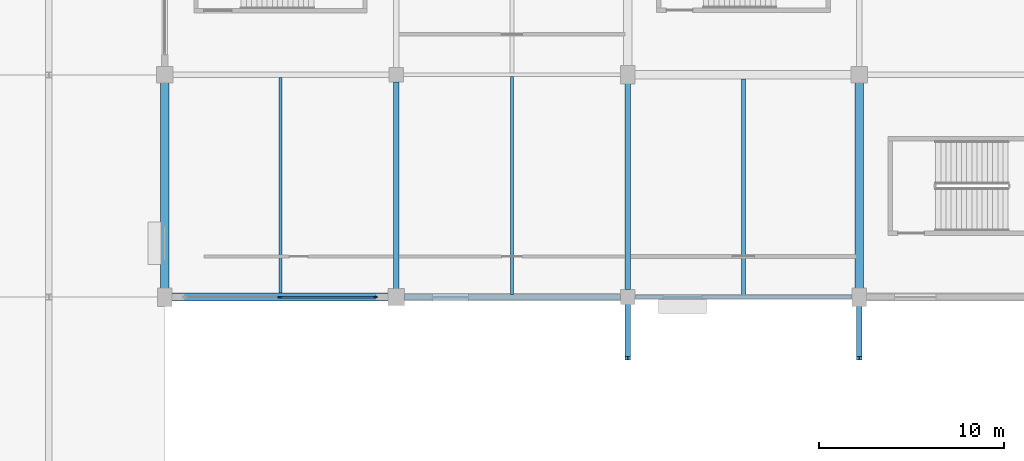
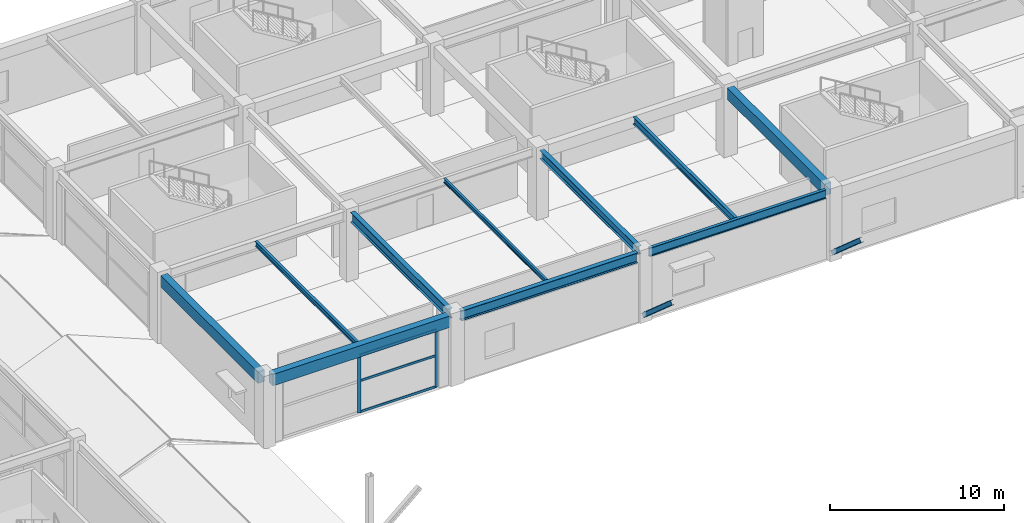
# One storey, part 30 of 116: 10 beams, 7 members, 1 element without a shape of its own.
"""IFC4 building model written with IfcOpenShell, lengths in metres."""

from ifc_helpers import new_model, si_unit, direction, frame, origin, origin_2d, place, context, subcontext, project, spatial, rectangle, i_section, extrude, material, layer, layer_set, material_profile, profile_set, type_object, element, aggregate, save


model = new_model("IFC4")

# Units and contexts
model_context = context("Model", 3, precision=1e-05, world=origin(), true_north=direction((0.0, 1.0)))
body_context = subcontext(model_context, "Body", "Model", "MODEL_VIEW")
ifc_project = project(units=[si_unit("LENGTHUNIT", "METRE"), si_unit("AREAUNIT", "SQUARE_METRE"), si_unit("VOLUMEUNIT", "CUBIC_METRE"), si_unit("PLANEANGLEUNIT", "RADIAN"), si_unit("MASSUNIT", "GRAM", prefix="KILO")], contexts=[model_context])

# Site, building, storey
site_placement = place(None, origin())
site = spatial("IfcSite", under=ifc_project, at=site_placement, CompositionType="ELEMENT")
building_placement = place(site_placement, origin())
building = spatial("IfcBuilding", under=site, at=building_placement, Name="Kazenohara Klinker Stadium", CompositionType="ELEMENT")
storey_placement = place(building_placement, frame((0.0, 0.0, 10.199951171875)))
storey = spatial("IfcBuildingStorey", under=building, at=storey_placement, Name="L02", CompositionType="ELEMENT", Elevation=10.199951171875)

# Beams
ifc_material_1 = material(Name="Steel S355", Category="steel")
ifc_material_profile_1 = material_profile(ifc_material_1, i_section(OverallWidth=0.199951171875, OverallDepth=0.5, WebThickness=0.010009765625, FlangeThickness=0.01611328125, FilletRadius=0.012939453125, at=origin_2d()), Name="H-500x200x10x16")
ifc_profile_set_1 = profile_set([ifc_material_profile_1], Name="Steel S355")
beam_type_1 = type_object("IfcBeamType", Name="BM-JST01", PredefinedType="JOIST", material=ifc_profile_set_1)
beam_1_placement = place(storey_placement, frame((80.25, 132.10009765625, 4.570068359375), z_axis=(0.0, 1.0, 0.0), x_axis=(-1.0, 0.0, 0.0)))
element("IfcBeam", 1, at=beam_1_placement, inside=storey, type_object=beam_type_1, Name="Secondary floor joist SJ01 L02 7/M", PredefinedType="JOIST", context=body_context, shape_type="SweptSolid", body=[
    extrude(i_section(OverallWidth=0.199951171875, OverallDepth=0.5, WebThickness=0.010009765625, FlangeThickness=0.01611328125, FilletRadius=0.012939453125, at=origin_2d()), origin(), (0.0, 0.0, 1.0), 11.6748046875),
])
ifc_material_profile_2 = material_profile(ifc_material_1, i_section(OverallWidth=0.175048828125, OverallDepth=0.35009765625, WebThickness=0.007080078125, FlangeThickness=0.010986328125, FilletRadius=0.012939453125, at=origin_2d()), Name="H-350x175x7x11")
ifc_profile_set_2 = profile_set([ifc_material_profile_2], Name="Steel S355")
beam_type_2 = type_object("IfcBeamType", Name="BM-JST04", PredefinedType="JOIST", material=ifc_profile_set_2)
beam_2_placement = place(storey_placement, frame((55.25, 132.22509765625, 4.64501953125), z_axis=(0.0, 1.0, 0.0), x_axis=(-1.0, 0.0, 0.0)))
element("IfcBeam", 2, at=beam_2_placement, inside=storey, type_object=beam_type_2, Name="Secondary floor joist SJ04 L02 5/M", PredefinedType="JOIST", context=body_context, shape_type="SweptSolid", body=[
    extrude(i_section(OverallWidth=0.175048828125, OverallDepth=0.35009765625, WebThickness=0.007080078125, FlangeThickness=0.010986328125, FilletRadius=0.012939453125, at=origin_2d()), origin(), (0.0, 0.0, 1.0), 11.625),
])
ifc_material_profile_3 = material_profile(ifc_material_1, i_section(OverallWidth=0.14990234375, OverallDepth=0.300048828125, WebThickness=0.006591796875, FlangeThickness=0.009033203125, FilletRadius=0.012939453125, at=origin_2d()), Name="H-300x150x6.5x9")
ifc_profile_set_3 = profile_set([ifc_material_profile_3], Name="Steel S355")
beam_type_3 = type_object("IfcBeamType", Name="BM-JST05", PredefinedType="JOIST", material=ifc_profile_set_3)
beam_3_placement = place(storey_placement, frame((67.75, 132.14990234375, 4.670166015625), z_axis=(0.0, 1.0, 0.0), x_axis=(-1.0, 0.0, 0.0)))
element("IfcBeam", 3, at=beam_3_placement, inside=storey, type_object=beam_type_3, Name="Secondary floor joist SJ05 L02 6/M", PredefinedType="JOIST", context=body_context, shape_type="SweptSolid", body=[
    extrude(i_section(OverallWidth=0.14990234375, OverallDepth=0.300048828125, WebThickness=0.006591796875, FlangeThickness=0.009033203125, FilletRadius=0.012939453125, at=origin_2d()), origin(), (0.0, 0.0, 1.0), 11.75),
])
ifc_material_2 = material(Name="Concrete C40/50", Category="concrete")
ifc_material_profile_4 = material_profile(ifc_material_2, rectangle(XDim=0.449951171875, YDim=0.800048828125, at=origin_2d()), Name="RC-BM-450x800")
ifc_profile_set_4 = profile_set([ifc_material_profile_4], Name="Concrete C40/50")
beam_type_4 = type_object("IfcBeamType", Name="BM-RC03", PredefinedType="BEAM", material=ifc_profile_set_4)
beam_4_placement = place(storey_placement, frame((49.39990234375, 132.0, 4.420166015625), z_axis=(1.0, 0.0, 0.0), x_axis=(0.0, 1.0, 0.0)))
element("IfcBeam", 4, at=beam_4_placement, inside=storey, type_object=beam_type_4, Name="Primary girder BG03 L02 5-6/M", PredefinedType="BEAM", context=body_context, shape_type="SweptSolid", body=[
    extrude(rectangle(XDim=0.449951171875, YDim=0.800048828125, at=origin_2d()), origin(), (0.0, 0.0, 1.0), 11.68017578125),
])
for number, where, z_axis, x_axis, name in (
    (5, (49.0, 132.419921875, 4.420166015625), (0.0, 1.0, 0.0), (-1.0, 0.0, 0.0), "Primary girder BG03 L02 5/M-N"),
    (6, (86.5, 132.419921875, 4.420166015625), (0.0, 1.0, 0.0), (-1.0, 0.0, 0.0), "Primary girder BG03 L02 8/M-N"),
):
    element("IfcBeam", number, at=place(storey_placement, frame(where, z_axis=z_axis, x_axis=x_axis)), inside=storey, type_object=beam_type_4, Name=name, PredefinedType="BEAM", context=body_context, shape_type="SweptSolid", body=[
        extrude(rectangle(XDim=0.449951171875, YDim=0.800048828125, at=origin_2d()), origin(), (0.0, 0.0, 1.0), 11.16015625),
    ])
ifc_material_profile_5 = material_profile(ifc_material_1, i_section(OverallWidth=0.300048828125, OverallDepth=0.699951171875, WebThickness=0.012939453125, FlangeThickness=0.02392578125, FilletRadius=0.02197265625, at=origin_2d()), Name="H-700x300x13x24")
ifc_profile_set_5 = profile_set([ifc_material_profile_5], Name="Steel S355")
beam_type_5 = type_object("IfcBeamType", Name="BM-ST03", PredefinedType="BEAM", material=ifc_profile_set_5)
beam_5_placement = place(storey_placement, frame((61.919921875, 132.0, 4.469970703125), z_axis=(1.0, 0.0, 0.0), x_axis=(0.0, 1.0, 0.0)))
element("IfcBeam", 7, at=beam_5_placement, inside=storey, type_object=beam_type_5, Name="Primary girder SB03 L02 6-7/M", PredefinedType="BEAM", context=body_context, shape_type="SweptSolid", body=[
    extrude(i_section(OverallWidth=0.300048828125, OverallDepth=0.699951171875, WebThickness=0.012939453125, FlangeThickness=0.02392578125, FilletRadius=0.02197265625, at=origin_2d()), origin(), (0.0, 0.0, 1.0), 11.68017578125),
])
beam_6_placement = place(storey_placement, frame((61.5, 132.419921875, 4.469970703125), z_axis=(0.0, 1.0, 0.0), x_axis=(-1.0, 0.0, 0.0)))
element("IfcBeam", 8, at=beam_6_placement, inside=storey, type_object=beam_type_5, Name="Primary girder SB03 L02 6/M-N", PredefinedType="BEAM", context=body_context, shape_type="SweptSolid", body=[
    extrude(i_section(OverallWidth=0.300048828125, OverallDepth=0.699951171875, WebThickness=0.012939453125, FlangeThickness=0.02392578125, FilletRadius=0.02197265625, at=origin_2d()), origin(), (0.0, 0.0, 1.0), 11.18017578125),
])
ifc_material_profile_6 = material_profile(ifc_material_1, i_section(OverallWidth=0.199951171875, OverallDepth=0.60009765625, WebThickness=0.010986328125, FlangeThickness=0.01708984375, FilletRadius=0.012939453125, at=origin_2d()), Name="H-600x200x11x17")
ifc_profile_set_6 = profile_set([ifc_material_profile_6], Name="Steel S355")
beam_type_6 = type_object("IfcBeamType", Name="BM-ST04", PredefinedType="BEAM", material=ifc_profile_set_6)
beam_7_placement = place(storey_placement, frame((74.39990234375, 132.0, 4.52001953125), z_axis=(1.0, 0.0, 0.0), x_axis=(0.0, 1.0, 0.0)))
element("IfcBeam", 9, at=beam_7_placement, inside=storey, type_object=beam_type_6, Name="Primary girder SB04 L02 7-8/M", PredefinedType="BEAM", context=body_context, shape_type="SweptSolid", body=[
    extrude(i_section(OverallWidth=0.199951171875, OverallDepth=0.60009765625, WebThickness=0.010986328125, FlangeThickness=0.01708984375, FilletRadius=0.012939453125, at=origin_2d()), origin(), (0.0, 0.0, 1.0), 11.7001953125),
])
ifc_material_profile_7 = material_profile(ifc_material_1, i_section(OverallWidth=0.300048828125, OverallDepth=0.587890625, WebThickness=0.011962890625, FlangeThickness=0.02001953125, FilletRadius=0.02197265625, at=origin_2d()), Name="H-588x300x12x20")
ifc_profile_set_7 = profile_set([ifc_material_profile_7], Name="Steel S355")
beam_type_7 = type_object("IfcBeamType", Name="BM-ST05", PredefinedType="BEAM", material=ifc_profile_set_7)
beam_8_placement = place(storey_placement, frame((74.0, 132.39990234375, 4.526123046875), z_axis=(0.0, 1.0, 0.0), x_axis=(-1.0, 0.0, 0.0)))
element("IfcBeam", 10, at=beam_8_placement, inside=storey, type_object=beam_type_7, Name="Primary girder SB05 L02 7/M-N", PredefinedType="BEAM", context=body_context, shape_type="SweptSolid", body=[
    extrude(i_section(OverallWidth=0.300048828125, OverallDepth=0.587890625, WebThickness=0.011962890625, FlangeThickness=0.02001953125, FilletRadius=0.02197265625, at=origin_2d()), origin(), (0.0, 0.0, 1.0), 11.18017578125),
])

# Curtain wall, members
ifc_material_3 = material(Name="Anodised aluminium and triple glazing", Category="aluminium")
ifc_layer = layer(ifc_material_3, 0.169921875)
ifc_layer_set = layer_set([ifc_layer], Name="Anodised aluminium and triple glazing")
curtain_wall_type = type_object("IfcCurtainWallType", Name="CW-SYS-04", PredefinedType="USERDEFINED", material=ifc_layer_set)
curtain_wall_placement = place(storey_placement, origin())
curtain_wall = element("IfcCurtainWall", 11, at=curtain_wall_placement, inside=storey, type_object=curtain_wall_type, Name="Unitised facade curtain wall CW04 L02 X4-11", ObjectType="UNITISED CURTAIN WALL", PredefinedType="USERDEFINED")
ifc_material_4 = material(Name="Anodised aluminium 6063-T6", Category="aluminium")
ifc_material_profile_8 = material_profile(ifc_material_4, rectangle(XDim=0.074951171875, YDim=0.219970703125, at=origin_2d()), Name="ALU-MUL-75x220")
ifc_profile_set_8 = profile_set([ifc_material_profile_8], Name="Anodised aluminium 6063-T6")
member_type_1 = type_object("IfcMemberType", Name="CW-MUL-220", PredefinedType="MULLION", material=ifc_profile_set_8)
member_1_placement = place(storey_placement, frame((55.22509765625, 132.0, 0.0), z_axis=(0.0, 0.0, 1.0), x_axis=(0.0, 1.0, 0.0)))
member_1 = element("IfcMember", 12, at=member_1_placement, type_object=member_type_1, Name="CW04 mullion 2", PredefinedType="MULLION", context=body_context, shape_type="SweptSolid", body=[
    extrude(rectangle(XDim=0.074951171875, YDim=0.219970703125, at=origin_2d()), origin(), (0.0, 0.0, 1.0), 4.02001953125),
])
member_2_placement = place(storey_placement, frame((60.3583984375, 132.0, 0.0), z_axis=(0.0, 0.0, 1.0), x_axis=(0.0, 1.0, 0.0)))
member_2 = element("IfcMember", 13, at=member_2_placement, type_object=member_type_1, Name="CW04 mullion 3", PredefinedType="MULLION", context=body_context, shape_type="SweptSolid", body=[
    extrude(rectangle(XDim=0.074951171875, YDim=0.219970703125, at=origin_2d()), origin(), (0.0, 0.0, 1.0), 4.02001953125),
])
ifc_material_profile_9 = material_profile(ifc_material_4, rectangle(XDim=0.074951171875, YDim=0.159912109375, at=origin_2d()), Name="ALU-TRN-75x160")
ifc_profile_set_9 = profile_set([ifc_material_profile_9], Name="Anodised aluminium 6063-T6")
member_type_2 = type_object("IfcMemberType", Name="CW-TRN-160", PredefinedType="USERDEFINED", material=ifc_profile_set_9)
member_3_placement = place(storey_placement, frame((55.262451171875, 132.0, 0.03759765625), z_axis=(1.0, 0.0, 0.0), x_axis=(0.0, 1.0, 0.0)))
member_3 = element("IfcMember", 14, at=member_3_placement, type_object=member_type_2, Name="CW04 transom 2.1", ObjectType="TRANSOM", PredefinedType="USERDEFINED", context=body_context, shape_type="SweptSolid", body=[
    extrude(rectangle(XDim=0.074951171875, YDim=0.159912109375, at=origin_2d()), origin(), (0.0, 0.0, 1.0), 5.05859375),
])
member_4_placement = place(storey_placement, frame((55.262451171875, 132.0, 2.2109375), z_axis=(1.0, 0.0, 0.0), x_axis=(0.0, 1.0, 0.0)))
member_4 = element("IfcMember", 15, at=member_4_placement, type_object=member_type_2, Name="CW04 transom 2.2", ObjectType="TRANSOM", PredefinedType="USERDEFINED", context=body_context, shape_type="SweptSolid", body=[
    extrude(rectangle(XDim=0.074951171875, YDim=0.159912109375, at=origin_2d()), origin(), (0.0, 0.0, 1.0), 5.05859375),
])
member_5_placement = place(storey_placement, frame((55.262451171875, 132.0, 3.982666015625), z_axis=(1.0, 0.0, 0.0), x_axis=(0.0, 1.0, 0.0)))
member_5 = element("IfcMember", 16, at=member_5_placement, type_object=member_type_2, Name="CW04 transom 2.3", ObjectType="TRANSOM", PredefinedType="USERDEFINED", context=body_context, shape_type="SweptSolid", body=[
    extrude(rectangle(XDim=0.074951171875, YDim=0.159912109375, at=origin_2d()), origin(), (0.0, 0.0, 1.0), 5.05859375),
])
aggregate(curtain_wall, [member_1, member_2, member_3, member_4, member_5])

# Members
ifc_material_profile_10 = material_profile(ifc_material_1, i_section(OverallWidth=0.300048828125, OverallDepth=0.300048828125, WebThickness=0.010009765625, FlangeThickness=0.014892578125, FilletRadius=0.012939453125, at=origin_2d()), Name="H-300x300x10x15")
ifc_profile_set_10 = profile_set([ifc_material_profile_10], Name="Steel S355")
member_type_3 = type_object("IfcMemberType", Name="MEM-BRC01", PredefinedType="BRACE", material=ifc_profile_set_10)
for number, where, z_axis, x_axis, name in (
    (17, (74.0, 132.0, 0.199951171875), (0.0, -0.750987889423, 0.660315977347), (1.0, 0.0, 0.0), "Upper bowl raking bracket strut BR01 North 7"),
    (18, (86.5, 132.0, 0.199951171875), (0.0, -0.750987889423, 0.660315977347), (1.0, 0.0, 0.0), "Upper bowl raking bracket strut BR01 North 8"),
):
    element("IfcMember", number, at=place(storey_placement, frame(where, z_axis=z_axis, x_axis=x_axis)), inside=storey, type_object=member_type_3, Name=name, PredefinedType="BRACE", context=body_context, shape_type="SweptSolid", body=[
        extrude(i_section(OverallWidth=0.300048828125, OverallDepth=0.300048828125, WebThickness=0.010009765625, FlangeThickness=0.014892578125, FilletRadius=0.012939453125, at=origin_2d()), origin(), (0.0, 0.0, 1.0), 4.394287109375),
    ])

save(model, "model.ifc")
